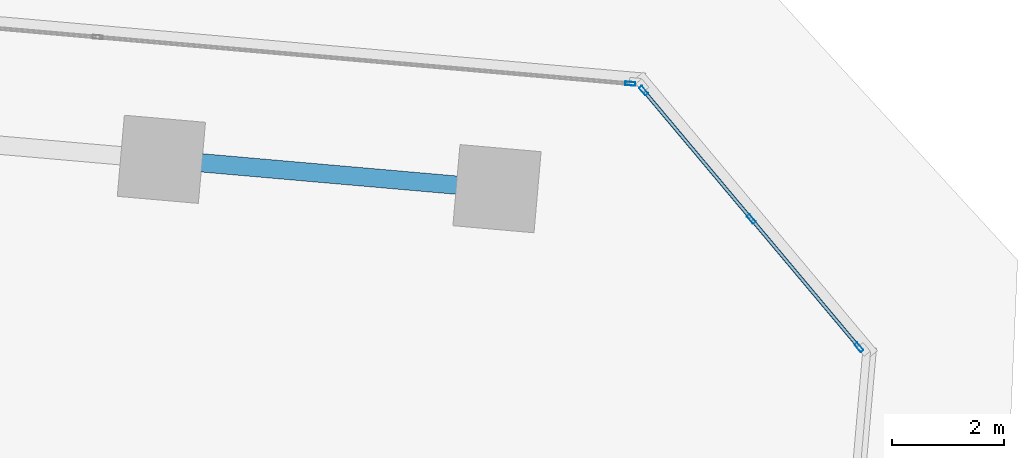
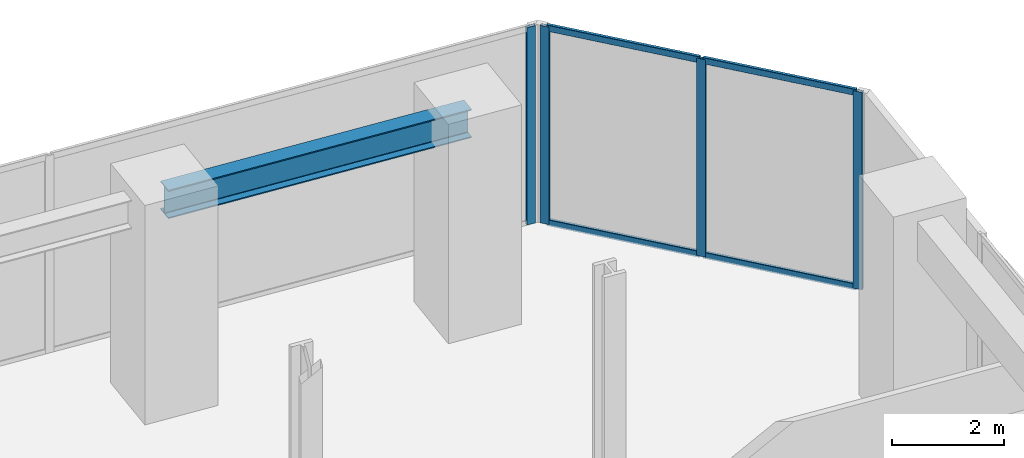
# One storey, part 13 of 24: 8 members, 1 beam, 2 elements without a shape of their own.
"""IFC4 building model written with IfcOpenShell, lengths in metres."""

from ifc_helpers import new_model, si_unit, direction, frame, origin, origin_2d, place, context, subcontext, project, spatial, hollow_rectangle, i_section, extrude, source, transform, mapped, material, material_profile, profile_set, type_object, element, aggregate, save


model = new_model("IFC4")

# Units and contexts
model_context = context("Model", 3, precision=1e-05, world=origin(), true_north=direction((0.0, 1.0)))
body_context = subcontext(model_context, "Body", "Model", "MODEL_VIEW")
ifc_project = project(units=[si_unit("LENGTHUNIT", "METRE"), si_unit("AREAUNIT", "SQUARE_METRE"), si_unit("VOLUMEUNIT", "CUBIC_METRE"), si_unit("PLANEANGLEUNIT", "RADIAN"), si_unit("MASSUNIT", "GRAM", prefix="KILO")], contexts=[model_context])

# Site, building, storey
site_placement = place(None, origin())
site = spatial("IfcSite", under=ifc_project, at=site_placement, CompositionType="ELEMENT")
building_placement = place(site_placement, origin())
building = spatial("IfcBuilding", under=site, at=building_placement, Name="Torre Montelarca", CompositionType="ELEMENT")
storey_placement = place(building_placement, frame((0.0, 0.0, 47.199951171875)))
storey = spatial("IfcBuildingStorey", under=building, at=storey_placement, Name="L10", CompositionType="ELEMENT", Elevation=47.199951171875)

# Beam
ifc_material_1 = material(Name="Steel ASTM A992 Grade 50", Category="steel")
ifc_material_profile_1 = material_profile(ifc_material_1, i_section(OverallWidth=0.326904296875, OverallDepth=0.6220703125, WebThickness=0.015380859375, FlangeThickness=0.0244140625, FilletRadius=0.014892578125, at=origin_2d()), Name="W610X195", Category="steel")
ifc_profile_set_1 = profile_set([ifc_material_profile_1], Name="Steel ASTM A992 Grade 50")
beam_type = type_object("IfcBeamType", Name="BM-G-W610H", PredefinedType="BEAM", material=ifc_profile_set_1)
shared_shape_1 = source(origin(), body_context, "Body", "SweptSolid", [
    extrude(i_section(OverallWidth=0.326904296875, OverallDepth=0.6220703125, WebThickness=0.015380859375, FlangeThickness=0.0244140625, FilletRadius=0.014892578125, at=origin_2d()), origin(), (0.0, 0.0, 1.0), 6.0),
])
beam_placement = place(storey_placement, frame((49.119384765625, 43.63720703125, 4.2490234375), z_axis=(0.996194335816, -0.087159883478, 0.0), x_axis=(0.087159883478, 0.996194335816, 0.0)))
element("IfcBeam", 1, at=beam_placement, inside=storey, type_object=beam_type, Name="L10 Grid Girder X 48.0-54.0 at Y=46.0", PredefinedType="BEAM", context=body_context, shape_type="MappedRepresentation", body=[
    mapped(shared_shape_1, transform((0.0, 0.0, 0.0), scale=1.0)),
])

# Curtain wall, members
ifc_material_2 = material(Name="Insulated low-E laminated glass", Category="glass")
curtain_wall_type = type_object("IfcCurtainWallType", Name="CW-SYS-Z1", PredefinedType="USERDEFINED", material=ifc_material_2)
curtain_wall_1_placement = place(storey_placement, origin())
curtain_wall_1 = element("IfcCurtainWall", 2, at=curtain_wall_1_placement, inside=storey, type_object=curtain_wall_type, Name="L10 Curtain Wall Run CW-T3-L10-E07-B1", ObjectType="UNITISED GLAZING", PredefinedType="USERDEFINED")
ifc_material_3 = material(Name="Anodised aluminium AA 6063-T6", Category="aluminium")
ifc_material_profile_2 = material_profile(ifc_material_3, hollow_rectangle(XDim=0.06494140625, YDim=0.179931640625, WallThickness=0.00390625, InnerFilletRadius=0.00390625, OuterFilletRadius=0.008056640625, at=origin_2d()), Name="ALU65X180X4", Category="aluminium")
ifc_profile_set_2 = profile_set([ifc_material_profile_2], Name="Anodised aluminium AA 6063-T6")
member_type_1 = type_object("IfcMemberType", Name="CWM-ALU180", PredefinedType="MULLION", material=ifc_profile_set_2)
shared_shape_2 = source(origin(), body_context, "Body", "SweptSolid", [
    extrude(hollow_rectangle(XDim=0.06494140625, YDim=0.179931640625, WallThickness=0.00390625, InnerFilletRadius=0.00390625, OuterFilletRadius=0.008056640625, at=origin_2d()), origin(), (0.0, 0.0, 1.0), 4.320068359375),
])
member_1_placement = place(storey_placement, frame((61.542724609375, 40.289794921875, 0.0), z_axis=(0.0, 0.0, 1.0), x_axis=(-0.766042761233, -0.642789614074, 0.0)))
member_1 = element("IfcMember", 3, at=member_1_placement, type_object=member_type_1, Name="CW mullion 1", PredefinedType="MULLION", context=body_context, shape_type="MappedRepresentation", body=[
    mapped(shared_shape_2, transform((0.0, 0.0, 0.0), scale=1.0)),
])
member_2_placement = place(storey_placement, frame((59.624755859375, 42.575439453125, 0.0), z_axis=(0.0, 0.0, 1.0), x_axis=(-0.766042761233, -0.642789614074, 0.0)))
member_2 = element("IfcMember", 4, at=member_2_placement, type_object=member_type_1, Name="CW mullion 2", PredefinedType="MULLION", context=body_context, shape_type="MappedRepresentation", body=[
    mapped(shared_shape_2, transform((0.0, 0.0, 0.0), scale=1.0)),
])
member_3_placement = place(storey_placement, frame((57.70703125, 44.861083984375, 0.0), z_axis=(0.0, 0.0, 1.0), x_axis=(-0.766042761233, -0.642789614074, 0.0)))
member_3 = element("IfcMember", 5, at=member_3_placement, type_object=member_type_1, Name="CW mullion 3", PredefinedType="MULLION", context=body_context, shape_type="MappedRepresentation", body=[
    mapped(shared_shape_2, transform((0.0, 0.0, 0.0), scale=1.0)),
])

# Curtain wall, member
curtain_wall_2_placement = place(storey_placement, origin())
curtain_wall_2 = element("IfcCurtainWall", 6, at=curtain_wall_2_placement, inside=storey, type_object=curtain_wall_type, Name="L10 Curtain Wall Run CW-T3-L10-E08-B1", ObjectType="UNITISED GLAZING", PredefinedType="USERDEFINED")
member_4_placement = place(storey_placement, frame((57.47021484375, 44.984375, 0.0), z_axis=(0.0, 0.0, 1.0), x_axis=(-0.087159288088, -0.996194387908, 0.0)))
member_4 = element("IfcMember", 7, at=member_4_placement, type_object=member_type_1, Name="CW mullion 1", PredefinedType="MULLION", context=body_context, shape_type="MappedRepresentation", body=[
    mapped(shared_shape_2, transform((0.0, 0.0, 0.0), scale=1.0)),
])
aggregate(curtain_wall_2, [member_4])

# Member
ifc_material_profile_3 = material_profile(ifc_material_3, hollow_rectangle(XDim=0.06494140625, YDim=0.139892578125, WallThickness=0.00390625, InnerFilletRadius=0.00390625, OuterFilletRadius=0.008056640625, at=origin_2d()), Name="ALU65X140X4", Category="aluminium")
ifc_profile_set_3 = profile_set([ifc_material_profile_3], Name="Anodised aluminium AA 6063-T6")
member_type_2 = type_object("IfcMemberType", Name="CWT-ALU140", PredefinedType="USERDEFINED", material=ifc_profile_set_3)
shared_shape_3 = source(origin(), body_context, "Body", "SweptSolid", [
    extrude(hollow_rectangle(XDim=0.06494140625, YDim=0.139892578125, WallThickness=0.00390625, InnerFilletRadius=0.00390625, OuterFilletRadius=0.008056640625, at=origin_2d()), origin(), (0.0, 0.0, 1.0), 2.918701171875),
])
member_5_placement = place(storey_placement, frame((61.521728515625, 40.314697265625, 0.032470703125), z_axis=(-0.642764321107, 0.766063983954, 0.0), x_axis=(-0.766063983954, -0.642764321107, 0.0)))
member_5 = element("IfcMember", 8, at=member_5_placement, type_object=member_type_2, Name="CW transom 1.1", ObjectType="TRANSOM", PredefinedType="USERDEFINED", context=body_context, shape_type="MappedRepresentation", body=[
    mapped(shared_shape_3, transform((0.0, 0.0, 0.0), scale=1.0)),
])

member_6_placement = place(storey_placement, frame((61.521728515625, 40.314697265625, 4.28759765625), z_axis=(-0.642764321107, 0.766063983954, 0.0), x_axis=(-0.766063983954, -0.642764321107, 0.0)))
member_6 = element("IfcMember", 9, at=member_6_placement, type_object=member_type_2, Name="CW transom 1.2", ObjectType="TRANSOM", PredefinedType="USERDEFINED", context=body_context, shape_type="MappedRepresentation", body=[
    mapped(shared_shape_3, transform((0.0, 0.0, 0.0), scale=1.0)),
])

member_7_placement = place(storey_placement, frame((59.60400390625, 42.600341796875, 0.032470703125), z_axis=(-0.642813407314, 0.766022795599, 0.0), x_axis=(-0.766022795599, -0.642813407314, 0.0)))
member_7 = element("IfcMember", 10, at=member_7_placement, type_object=member_type_2, Name="CW transom 2.1", ObjectType="TRANSOM", PredefinedType="USERDEFINED", context=body_context, shape_type="MappedRepresentation", body=[
    mapped(shared_shape_3, transform((0.0, 0.0, 0.0), scale=1.0)),
])

member_8_placement = place(storey_placement, frame((59.60400390625, 42.600341796875, 4.28759765625), z_axis=(-0.642813407314, 0.766022795599, 0.0), x_axis=(-0.766022795599, -0.642813407314, 0.0)))
member_8 = element("IfcMember", 11, at=member_8_placement, type_object=member_type_2, Name="CW transom 2.2", ObjectType="TRANSOM", PredefinedType="USERDEFINED", context=body_context, shape_type="MappedRepresentation", body=[
    mapped(shared_shape_3, transform((0.0, 0.0, 0.0), scale=1.0)),
])

aggregate(curtain_wall_1, [member_1, member_2, member_3, member_5, member_6, member_7, member_8])

save(model, "model.ifc")
